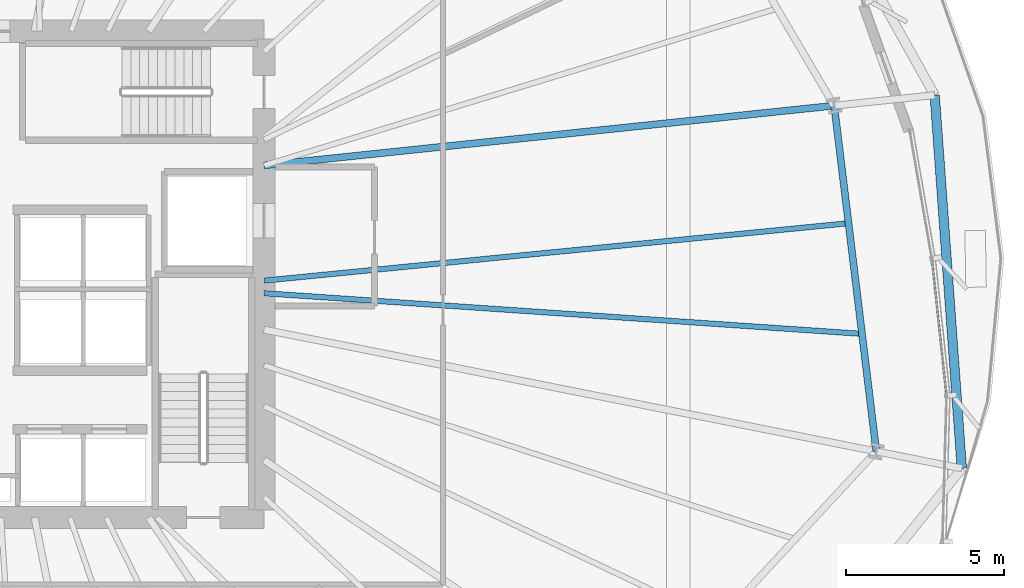
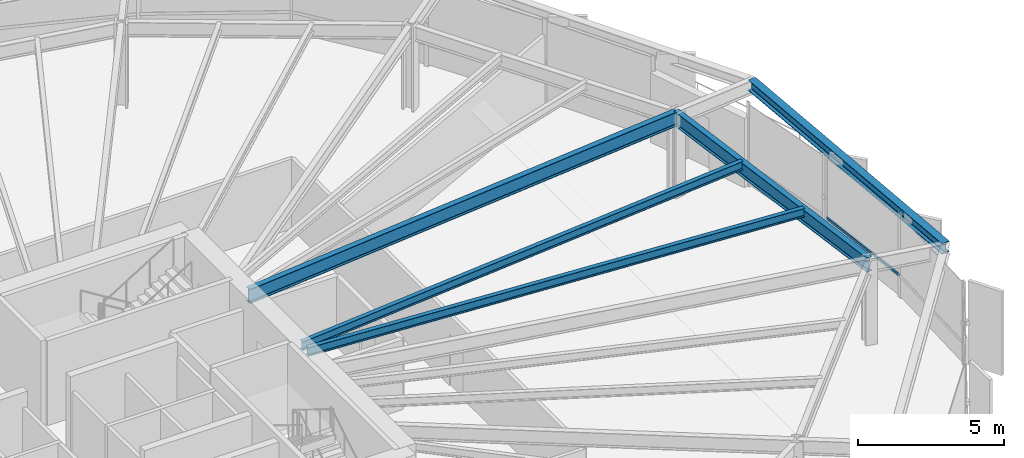
# One storey, part 17 of 39: 5 beams, 1 member, 1 element without a shape of its own.
"""IFC4 building model written with IfcOpenShell, lengths in metres."""

from ifc_helpers import new_model, si_unit, direction, frame, origin, origin_2d, place, context, subcontext, project, spatial, hollow_rectangle, i_section, extrude, source, transform, mapped, material, layer, layer_set, material_profile, profile_set, type_object, element, aggregate, save


model = new_model("IFC4")

# Units and contexts
model_context = context("Model", 3, precision=1e-05, world=origin(), true_north=direction((0.0, 1.0)))
body_context = subcontext(model_context, "Body", "Model", "MODEL_VIEW")
ifc_project = project(units=[si_unit("LENGTHUNIT", "METRE"), si_unit("AREAUNIT", "SQUARE_METRE"), si_unit("VOLUMEUNIT", "CUBIC_METRE"), si_unit("PLANEANGLEUNIT", "RADIAN"), si_unit("MASSUNIT", "GRAM", prefix="KILO"), si_unit("THERMODYNAMICTEMPERATUREUNIT", "KELVIN")], contexts=[model_context])

# Site, building, storey
site_placement = place(None, origin())
site = spatial("IfcSite", under=ifc_project, at=site_placement, CompositionType="ELEMENT")
building_placement = place(site_placement, origin())
building = spatial("IfcBuilding", under=site, at=building_placement, Name="Kethvar Cultural Tower", CompositionType="ELEMENT")
storey_placement = place(building_placement, frame((0.0, 0.0, 33.39990234375)))
storey = spatial("IfcBuildingStorey", under=building, at=storey_placement, Name="L07", CompositionType="ELEMENT", Elevation=33.39990234375)

# Beams
ifc_material_1 = material(Name="Steel S355J2", Category="steel")
ifc_material_profile_1 = material_profile(ifc_material_1, i_section(OverallWidth=0.219970703125, OverallDepth=0.60009765625, WebThickness=0.011962890625, FlangeThickness=0.01904296875, FilletRadius=0.02392578125, at=origin_2d()), Name="Steel S355J2 — IPE600")
ifc_profile_set_1 = profile_set([ifc_material_profile_1], Name="Steel S355J2 — IPE600")
beam_type_1 = type_object("IfcBeamType", Name="BM-IPE600", PredefinedType="BEAM", material=ifc_profile_set_1)
shared_shape_1 = source(origin(), body_context, "Body", "SweptSolid", [
    extrude(i_section(OverallWidth=0.219970703125, OverallDepth=0.60009765625, WebThickness=0.011962890625, FlangeThickness=0.01904296875, FilletRadius=0.02392578125, at=origin_2d()), origin(), (0.0, 0.0, 1.0), 18.155517578125),
])
beam_1_placement = place(storey_placement, frame((55.60009765625, 31.25, 3.248046875), z_axis=(0.994554710129, 0.104215778847, 0.0), x_axis=(-0.104215778847, 0.994554710129, 0.0)))
element("IfcBeam", 1, at=beam_1_placement, inside=storey, type_object=beam_type_1, Name="L07 Primary Radial Beam RB-01", PredefinedType="BEAM", context=body_context, shape_type="MappedRepresentation", body=[
    mapped(shared_shape_1, transform((0.0, 0.0, 0.0), scale=1.0)),
])
shared_shape_2 = source(origin(), body_context, "Body", "SweptSolid", [
    extrude(i_section(OverallWidth=0.219970703125, OverallDepth=0.60009765625, WebThickness=0.011962890625, FlangeThickness=0.01904296875, FilletRadius=0.02392578125, at=origin_2d()), origin(), (0.0, 0.0, 1.0), 11.03076171875),
])
beam_2_placement = place(storey_placement, frame((74.9912109375, 22.1923828125, 3.248046875), z_axis=(-0.120977779442, 0.992655215511, 0.0), x_axis=(-0.992655215511, -0.120977779442, 0.0)))
element("IfcBeam", 2, at=beam_2_placement, inside=storey, type_object=beam_type_1, Name="L07 Column Ring Tie Beam CR-16", PredefinedType="BEAM", context=body_context, shape_type="MappedRepresentation", body=[
    mapped(shared_shape_2, transform((0.0, 0.0, 0.0), scale=1.0)),
])
ifc_material_profile_2 = material_profile(ifc_material_1, i_section(OverallWidth=0.169921875, OverallDepth=0.360107421875, WebThickness=0.008056640625, FlangeThickness=0.0126953125, FilletRadius=0.01806640625, at=origin_2d()), Name="Steel S355J2 — IPE360")
ifc_profile_set_2 = profile_set([ifc_material_profile_2], Name="Steel S355J2 — IPE360")
beam_type_2 = type_object("IfcBeamType", Name="BM-J360", PredefinedType="JOIST", material=ifc_profile_set_2)
shared_shape_3 = source(origin(), body_context, "Body", "SweptSolid", [
    extrude(i_section(OverallWidth=0.169921875, OverallDepth=0.360107421875, WebThickness=0.008056640625, FlangeThickness=0.0126953125, FilletRadius=0.01806640625, at=origin_2d()), origin(), (0.0, 0.0, 1.0), 18.981201171875),
])
beam_3_placement = place(storey_placement, frame((55.60009765625, 27.2021484375, 3.3681640625), z_axis=(0.997699141247, -0.067796928805, 0.0), x_axis=(0.067796928805, 0.997699141247, 0.0)))
element("IfcBeam", 3, at=beam_3_placement, inside=storey, type_object=beam_type_2, Name="L07 Composite Floor Joist J-16A", PredefinedType="JOIST", context=body_context, shape_type="MappedRepresentation", body=[
    mapped(shared_shape_3, transform((0.0, 0.0, 0.0), scale=1.0)),
])
shared_shape_4 = source(origin(), body_context, "Body", "SweptSolid", [
    extrude(i_section(OverallWidth=0.169921875, OverallDepth=0.360107421875, WebThickness=0.008056640625, FlangeThickness=0.0126953125, FilletRadius=0.01806640625, at=origin_2d()), origin(), (0.0, 0.0, 1.0), 18.599609375),
])
beam_4_placement = place(storey_placement, frame((55.60009765625, 27.60009765625, 3.3681640625), z_axis=(0.995205855092, 0.097802382335, 0.0), x_axis=(-0.097802382335, 0.995205855092, 0.0)))
element("IfcBeam", 4, at=beam_4_placement, inside=storey, type_object=beam_type_2, Name="L07 Composite Floor Joist J-16B", PredefinedType="JOIST", context=body_context, shape_type="MappedRepresentation", body=[
    mapped(shared_shape_4, transform((0.0, 0.0, 0.0), scale=1.0)),
])
ifc_material_profile_3 = material_profile(ifc_material_1, i_section(OverallWidth=0.300048828125, OverallDepth=0.449951171875, WebThickness=0.013916015625, FlangeThickness=0.02587890625, FilletRadius=0.027099609375, at=origin_2d()), Name="Steel S355J2 — HEB450")
ifc_profile_set_3 = profile_set([ifc_material_profile_3], Name="Steel S355J2 — HEB450")
beam_type_3 = type_object("IfcBeamType", Name="BM-SP450", PredefinedType="SPANDREL", material=ifc_profile_set_3)
shared_shape_5 = source(origin(), body_context, "Body", "SweptSolid", [
    extrude(i_section(OverallWidth=0.300048828125, OverallDepth=0.449951171875, WebThickness=0.013916015625, FlangeThickness=0.02587890625, FilletRadius=0.027099609375, at=origin_2d()), origin(), (0.0, 0.0, 1.0), 11.85302734375),
])
beam_5_placement = place(storey_placement, frame((77.698486328125, 21.65380859375, 3.322998046875), z_axis=(-0.072482424074, 0.997369689834, 0.0), x_axis=(-0.997369689834, -0.072482424074, 0.0)))
element("IfcBeam", 5, at=beam_5_placement, inside=storey, type_object=beam_type_3, Name="L07 Perimeter Spandrel Beam SP-16", PredefinedType="SPANDREL", context=body_context, shape_type="MappedRepresentation", body=[
    mapped(shared_shape_5, transform((0.0, 0.0, 0.0), scale=1.0)),
])

# Curtain wall, member
ifc_material_2 = material(Name="Aluminium 6063-T6", Category="aluminium")
ifc_layer = layer(ifc_material_2, 0.179931640625, Name="Aluminium 6063-T6", Category="aluminium")
ifc_layer_set = layer_set([ifc_layer], Name="Aluminium 6063-T6 (180 mm)")
curtain_wall_type = type_object("IfcCurtainWallType", Name="CW-SYS-02-Z1", PredefinedType="NOTDEFINED", material=ifc_layer_set)
curtain_wall_placement = place(storey_placement, origin())
curtain_wall = element("IfcCurtainWall", 6, at=curtain_wall_placement, inside=storey, type_object=curtain_wall_type, Name="L07 Curtain Wall Run 07", PredefinedType="NOTDEFINED")
ifc_material_profile_4 = material_profile(ifc_material_2, hollow_rectangle(XDim=0.054931640625, YDim=0.1201171875, WallThickness=0.00390625, at=origin_2d()), Name="Aluminium 6063-T6 — RHS120x55x4")
ifc_profile_set_4 = profile_set([ifc_material_profile_4], Name="Aluminium 6063-T6 — RHS120x55x4")
member_type = type_object("IfcMemberType", Name="CW-SYS-02-Z1-TRN", PredefinedType="USERDEFINED", material=ifc_profile_set_4)
shared_shape_6 = source(origin(), body_context, "Body", "SweptSolid", [
    extrude(hollow_rectangle(XDim=0.054931640625, YDim=0.1201171875, WallThickness=0.00390625, at=origin_2d()), origin(), (0.0, 0.0, 1.0), 4.239013671875),
])
member_placement = place(storey_placement, frame((77.20751953125, 23.998046875, 0.9501953125), z_axis=(-0.105973866439, 0.994368915258, 0.0), x_axis=(-0.994368915258, -0.105973866439, 0.0)))
member = element("IfcMember", 7, at=member_placement, type_object=member_type, Name="CW-L07-R07 Transom 4", ObjectType="TRANSOM", PredefinedType="USERDEFINED", context=body_context, shape_type="MappedRepresentation", body=[
    mapped(shared_shape_6, transform((0.0, 0.0, 0.0), scale=1.0)),
])
aggregate(curtain_wall, [member])

save(model, "model.ifc")
